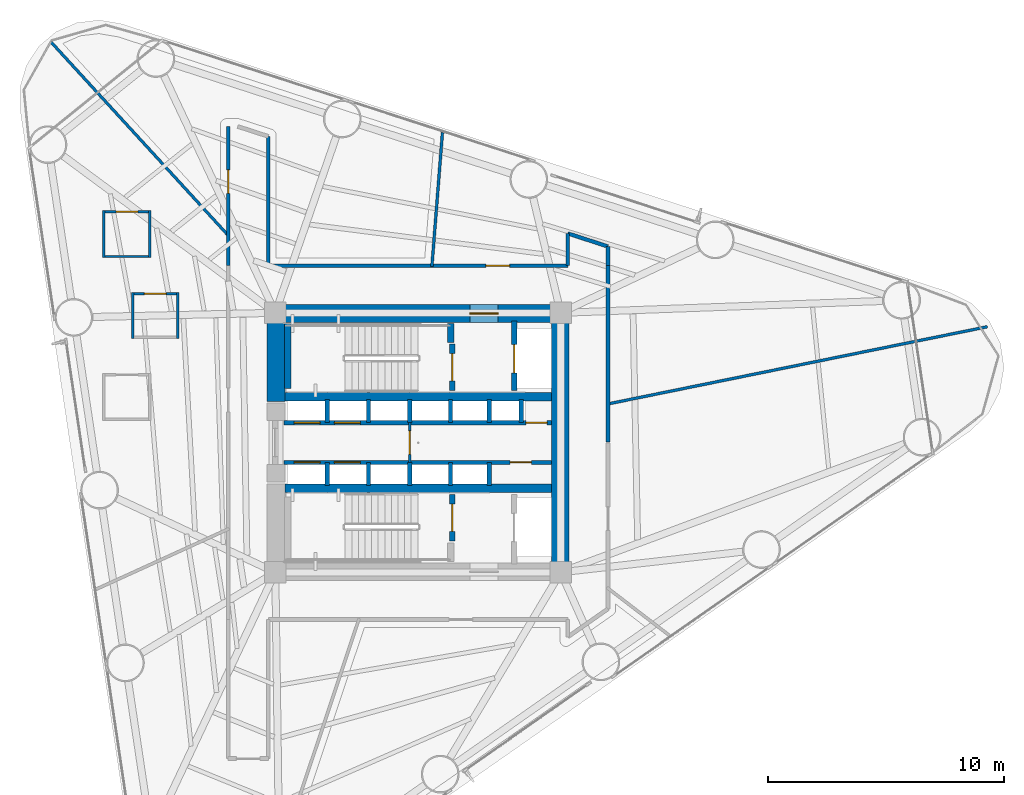
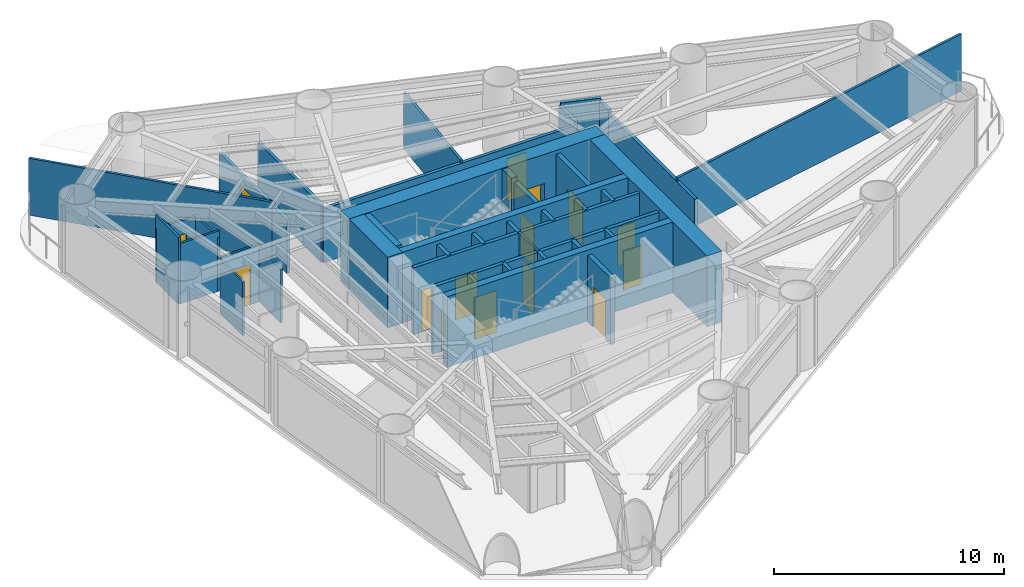
# One storey, part 6 of 11: 41 walls, 15 doors, 15 openings.
"""IFC4 building model written with IfcOpenShell, lengths in metres."""

from ifc_helpers import new_model, si_unit, direction, frame, frame_2d, origin, place, context, subcontext, project, spatial, rectangle, extrude, material, layer, layer_set, type_object, element, fill, save


model = new_model("IFC4")

# Units and contexts
model_context = context("Model", 3, precision=1e-05, world=origin(), true_north=direction((0.0, 1.0)))
body_context = subcontext(model_context, "Body", "Model", "MODEL_VIEW")
ifc_project = project(units=[si_unit("LENGTHUNIT", "METRE"), si_unit("AREAUNIT", "SQUARE_METRE"), si_unit("VOLUMEUNIT", "CUBIC_METRE"), si_unit("PLANEANGLEUNIT", "RADIAN"), si_unit("MASSUNIT", "GRAM", prefix="KILO")], contexts=[model_context])

# Site, building, storey
site_placement = place(None, origin())
site = spatial("IfcSite", under=ifc_project, at=site_placement, CompositionType="ELEMENT")
building_placement = place(site_placement, origin())
building = spatial("IfcBuilding", under=site, at=building_placement, Name="Yunling Apex Tower", CompositionType="ELEMENT")
storey_placement = place(building_placement, frame((0.0, 0.0, 54.800048828125)))
storey = spatial("IfcBuildingStorey", under=building, at=storey_placement, Name="L14", CompositionType="ELEMENT", Elevation=54.800048828125)

# Wall, opening, door
ifc_material_1 = material(Name="Concrete C60", Category="concrete")
ifc_layer_1 = layer(ifc_material_1, 0.75)
ifc_layer_set_1 = layer_set([ifc_layer_1], Name="Concrete C60")
wall_type_1 = type_object("IfcWallType", Name="WL-COR-1", PredefinedType="SHEAR", material=ifc_layer_set_1)
wall_1_placement = place(storey_placement, frame((-6.39990234375, 5.47509765625, 0.0), z_axis=(0.0, 0.0, 1.0), x_axis=(1.0, 0.0, 0.0)))
wall_1 = element("IfcWall", 1, at=wall_1_placement, inside=storey, type_object=wall_type_1, Name="L14 North Core Shear Wall", PredefinedType="SHEAR", context=body_context, shape_type="SweptSolid", body=[
    extrude(rectangle(XDim=12.7998046875, YDim=0.75, at=frame_2d((6.39990234375, 0.0))), origin(), (0.0, 0.0, 1.0), 3.75),
])
opening_1_placement = place(wall_1_placement, frame((8.60009765625, 0.0, 0.0)))
opening_1 = element("IfcOpeningElement", 2, at=opening_1_placement, cuts=wall_1, Name="Opening DR-FFL-1", PredefinedType="OPENING", context=body_context, shape_type="SweptSolid", body=[
    extrude(rectangle(XDim=1.199951171875, YDim=2.199951171875, at=frame_2d((0.60009765625, 1.10009765625))), frame((0.0, 0.385009765625, 0.0), z_axis=(0.0, -1.0, 0.0), x_axis=(1.0, 0.0, 0.0)), (0.0, 0.0, 1.0), 0.77001953125),
])
ifc_material_2 = material(Name="Steel Q355B", Category="steel")
door_type_1 = type_object("IfcDoorType", Name="DR-FFL-1", OperationType="NOTDEFINED", PredefinedType="DOOR", material=ifc_material_2)
door_1_placement = place(opening_1_placement, origin())
door_1 = element("IfcDoor", 3, at=door_1_placement, inside=storey, type_object=door_type_1, Name="L14 North Firefighting Lobby Door", OperationType="SINGLE_SWING_LEFT", OverallHeight=2.199951171875, OverallWidth=1.199951171875, PredefinedType="DOOR", context=body_context, shape_type="SweptSolid", body=[
    extrude(rectangle(XDim=1.199951171875, YDim=2.199951171875, at=frame_2d((0.60009765625, 1.10009765625))), frame((0.0, 0.02490234375, 0.0), z_axis=(0.0, -1.0, 0.0), x_axis=(1.0, 0.0, 0.0)), (0.0, 0.0, 1.0), 0.050048828125),
])
fill(opening_1, door_1)

# Walls
wall_2_placement = place(storey_placement, frame((6.02490234375, -5.10009765625, 0.0), z_axis=(0.0, 0.0, 1.0), x_axis=(0.0, 1.0, 0.0)))
element("IfcWall", 4, at=wall_2_placement, inside=storey, type_object=wall_type_1, Name="L14 East Core Shear Wall", PredefinedType="SHEAR", context=body_context, shape_type="SweptSolid", body=[
    extrude(rectangle(XDim=10.2001953125, YDim=0.75, at=frame_2d((5.10009765625, 0.0))), origin(), (0.0, 0.0, 1.0), 3.75),
])
wall_3_placement = place(storey_placement, frame((-6.02490234375, 1.75, 0.0), z_axis=(0.0, 0.0, 1.0), x_axis=(0.0, 1.0, 0.0)))
element("IfcWall", 5, at=wall_3_placement, inside=storey, type_object=wall_type_1, Name="L14 West-North Core Shear Wall", PredefinedType="SHEAR", context=body_context, shape_type="SweptSolid", body=[
    extrude(rectangle(XDim=3.35009765625, YDim=0.75, at=frame_2d((1.675048828125, 0.0))), origin(), (0.0, 0.0, 1.0), 3.75),
])
ifc_material_3 = material(Name="Concrete C40", Category="concrete")
ifc_layer_2 = layer(ifc_material_3, 0.360107421875)
ifc_layer_set_2 = layer_set([ifc_layer_2], Name="Concrete C40")
wall_type_2 = type_object("IfcWallType", Name="WL-COR-4", PredefinedType="SHEAR", material=ifc_layer_set_2)
for number, where, z_axis, x_axis, name in (
    (6, (-5.64990234375, 1.93994140625, 0.0), (0.0, 0.0, 1.0), (1.0, 0.0, 0.0), "L14 North Internal Core Shear Wall"),
    (7, (-5.64990234375, -1.93994140625, 0.0), (0.0, 0.0, 1.0), (1.0, 0.0, 0.0), "L14 South Internal Core Shear Wall"),
):
    element("IfcWall", number, at=place(storey_placement, frame(where, z_axis=z_axis, x_axis=x_axis)), inside=storey, type_object=wall_type_2, Name=name, PredefinedType="SHEAR", context=body_context, shape_type="SweptSolid", body=[
        extrude(rectangle(XDim=11.2998046875, YDim=0.360107421875, at=frame_2d((5.64990234375, 0.0))), origin(), (0.0, 0.0, 1.0), 3.75),
    ])
ifc_layer_3 = layer(ifc_material_3, 0.280029296875)
ifc_layer_set_3 = layer_set([ifc_layer_3], Name="Concrete C40")
wall_type_3 = type_object("IfcWallType", Name="WL-COR-8", PredefinedType="SHEAR", material=ifc_layer_set_3)
wall_4_placement = place(storey_placement, frame((-5.52001953125, 2.300048828125, 0.0), z_axis=(0.0, 0.0, 1.0), x_axis=(0.0, 1.0, 0.0)))
element("IfcWall", 8, at=wall_4_placement, inside=storey, type_object=wall_type_3, Name="L14 ST-1 West Landing Bearing Wall", PredefinedType="SHEAR", context=body_context, shape_type="SweptSolid", body=[
    extrude(rectangle(XDim=2.75, YDim=0.280029296875, at=frame_2d((1.375, 0.0))), origin(), (0.0, 0.0, 1.0), 3.75),
])
wall_5_placement = place(storey_placement, frame((1.3798828125, 4.25, 0.0), z_axis=(0.0, 0.0, 1.0), x_axis=(0.0, 1.0, 0.0)))
element("IfcWall", 9, at=wall_5_placement, inside=storey, type_object=wall_type_3, Name="L14 ST-1 East Landing Bearing Pier", PredefinedType="SHEAR", context=body_context, shape_type="SweptSolid", body=[
    extrude(rectangle(XDim=0.800048828125, YDim=0.280029296875, at=frame_2d((0.39990234375, 0.0))), origin(), (0.0, 0.0, 1.0), 3.75),
])

# Wall, opening, door
ifc_material_4 = material(Name="Gypsum board acoustic partition")
ifc_layer_4 = layer(ifc_material_4, 0.159912109375)
ifc_layer_set_4 = layer_set([ifc_layer_4], Name="Gypsum board acoustic partition")
wall_type_4 = type_object("IfcWallType", Name="WL-PRT-1", PredefinedType="PARTITIONING", material=ifc_layer_set_4)
wall_6_placement = place(storey_placement, frame((-8.050048828125, 7.5, 0.0), z_axis=(0.0, 0.0, 1.0), x_axis=(0.0, 1.0, 0.0)))
wall_6 = element("IfcWall", 10, at=wall_6_placement, inside=storey, type_object=wall_type_4, Name="WL-CORR-L14-04", PredefinedType="PARTITIONING", context=body_context, shape_type="SweptSolid", body=[
    extrude(rectangle(XDim=5.89990234375, YDim=0.159912109375, at=frame_2d((2.949951171875, 0.0))), origin(), (0.0, 0.0, 1.0), 2.849853515625),
])
opening_2_placement = place(wall_6_placement, frame((3.061279296875, 0.0, 0.0)))
opening_2 = element("IfcOpeningElement", 11, at=opening_2_placement, cuts=wall_6, Name="Opening DR-OFF-1", PredefinedType="OPENING", context=body_context, shape_type="SweptSolid", body=[
    extrude(rectangle(XDim=1.0, YDim=2.25, at=frame_2d((0.5, 1.125))), frame((0.0, 0.08984375, 0.0), z_axis=(0.0, -1.0, 0.0), x_axis=(1.0, 0.0, 0.0)), (0.0, 0.0, 1.0), 0.179931640625),
])
ifc_material_5 = material(Name="Bronze anodised aluminium", Category="aluminium")
door_type_2 = type_object("IfcDoorType", Name="DR-OFF-1", OperationType="NOTDEFINED", PredefinedType="DOOR", material=ifc_material_5)
door_2_placement = place(opening_2_placement, origin())
door_2 = element("IfcDoor", 12, at=door_2_placement, inside=storey, type_object=door_type_2, Name="L14 Staff Pantry Kitchen Door", OperationType="SINGLE_SWING_RIGHT", OverallHeight=2.25, OverallWidth=1.0, PredefinedType="DOOR", context=body_context, shape_type="SweptSolid", body=[
    extrude(rectangle(XDim=1.0, YDim=2.25, at=frame_2d((0.5, 1.125))), frame((0.0, 0.02490234375, 0.0), z_axis=(0.0, -1.0, 0.0), x_axis=(1.0, 0.0, 0.0)), (0.0, 0.0, 1.0), 0.050048828125),
])
fill(opening_2, door_2)

# Wall
wall_7_placement = place(storey_placement, frame((-6.35009765625, 12.9814453125, 0.0), z_axis=(0.0, 0.0, 1.0), x_axis=(0.0, -1.0, 0.0)))
element("IfcWall", 13, at=wall_7_placement, inside=storey, type_object=wall_type_4, Name="WL-CORR-L14-07", PredefinedType="PARTITIONING", context=body_context, shape_type="SweptSolid", body=[
    extrude(rectangle(XDim=5.4814453125, YDim=0.159912109375, at=frame_2d((2.74072265625, 0.0))), origin(), (0.0, 0.0, 1.0), 3.050048828125),
])

# Wall, opening, door
wall_8_placement = place(storey_placement, frame((-6.35009765625, 7.5, 0.0), z_axis=(0.0, 0.0, 1.0), x_axis=(1.0, 0.0, 0.0)))
wall_8 = element("IfcWall", 14, at=wall_8_placement, inside=storey, type_object=wall_type_4, Name="WL-CORR-L14-08", PredefinedType="PARTITIONING", context=body_context, shape_type="SweptSolid", body=[
    extrude(rectangle(XDim=12.7001953125, YDim=0.159912109375, at=frame_2d((6.35009765625, 0.0))), origin(), (0.0, 0.0, 1.0), 2.849853515625),
])
opening_3_placement = place(wall_8_placement, frame((9.229248046875, 0.0, 0.0)))
opening_3 = element("IfcOpeningElement", 15, at=opening_3_placement, cuts=wall_8, Name="Opening DR-OFF-1", PredefinedType="OPENING", context=body_context, shape_type="SweptSolid", body=[
    extrude(rectangle(XDim=1.0, YDim=2.25, at=frame_2d((0.5, 1.125))), frame((0.0, 0.08984375, 0.0), z_axis=(0.0, -1.0, 0.0), x_axis=(1.0, 0.0, 0.0)), (0.0, 0.0, 1.0), 0.179931640625),
])
door_3_placement = place(opening_3_placement, origin())
door_3 = element("IfcDoor", 16, at=door_3_placement, inside=storey, type_object=door_type_2, Name="L14 Staff Pantry Kitchen Door", OperationType="SINGLE_SWING_LEFT", OverallHeight=2.25, OverallWidth=1.0, PredefinedType="DOOR", context=body_context, shape_type="SweptSolid", body=[
    extrude(rectangle(XDim=1.0, YDim=2.25, at=frame_2d((0.5, 1.125))), frame((0.0, 0.02490234375, 0.0), z_axis=(0.0, -1.0, 0.0), x_axis=(1.0, 0.0, 0.0)), (0.0, 0.0, 1.0), 0.050048828125),
])
fill(opening_3, door_3)

# Walls
wall_9_placement = place(storey_placement, frame((6.35009765625, 7.5, 0.0), z_axis=(0.0, 0.0, 1.0), x_axis=(0.0, 1.0, 0.0)))
element("IfcWall", 17, at=wall_9_placement, inside=storey, type_object=wall_type_4, Name="WL-CORR-L14-09", PredefinedType="PARTITIONING", context=body_context, shape_type="SweptSolid", body=[
    extrude(rectangle(XDim=1.36474609375, YDim=0.159912109375, at=frame_2d((0.682373046875, 0.0))), origin(), (0.0, 0.0, 1.0), 3.050048828125),
])
wall_10_placement = place(storey_placement, frame((6.35009765625, 8.86474609375, 0.0), z_axis=(0.0, 0.0, 1.0), x_axis=(0.951273733128, -0.308347668486, 0.0)))
element("IfcWall", 18, at=wall_10_placement, inside=storey, type_object=wall_type_4, Name="WL-CORR-L14-10", PredefinedType="PARTITIONING", context=body_context, shape_type="SweptSolid", body=[
    extrude(rectangle(XDim=1.787109375, YDim=0.159912109375, at=frame_2d((0.8935546875, 0.0))), origin(), (0.0, 0.0, 1.0), 3.199951171875),
])
wall_11_placement = place(storey_placement, frame((8.050048828125, 8.313720703125, 0.0), z_axis=(0.0, 0.0, 1.0), x_axis=(0.0, -1.0, 0.0)))
element("IfcWall", 19, at=wall_11_placement, inside=storey, type_object=wall_type_4, Name="WL-CORR-L14-11", PredefinedType="PARTITIONING", context=body_context, shape_type="SweptSolid", body=[
    extrude(rectangle(XDim=0.813720703125, YDim=0.159912109375, at=frame_2d((0.40673828125, 0.0))), origin(), (0.0, 0.0, 1.0), 3.050048828125),
])
wall_12_placement = place(storey_placement, frame((8.050048828125, 7.5, 0.0), z_axis=(0.0, 0.0, 1.0), x_axis=(0.0, -1.0, 0.0)))
element("IfcWall", 20, at=wall_12_placement, inside=storey, type_object=wall_type_4, Name="WL-CORR-L14-12", PredefinedType="PARTITIONING", context=body_context, shape_type="SweptSolid", body=[
    extrude(rectangle(XDim=7.47998046875, YDim=0.159912109375, at=frame_2d((3.739990234375, 0.0))), origin(), (0.0, 0.0, 1.0), 2.849853515625),
])
ifc_layer_5 = layer(ifc_material_4, 0.1201171875)
ifc_layer_set_5 = layer_set([ifc_layer_5], Name="Gypsum board acoustic partition")
wall_type_5 = type_object("IfcWallType", Name="WL-PRT-3", PredefinedType="PARTITIONING", material=ifc_layer_set_5)
wall_13_placement = place(storey_placement, frame((0.587158203125, 7.4599609375, 0.0), z_axis=(0.0, 0.0, 1.0), x_axis=(0.078455369282, 0.996917627004, 0.0)))
element("IfcWall", 21, at=wall_13_placement, inside=storey, type_object=wall_type_5, Name="WL-RAD-L14-01", PredefinedType="PARTITIONING", context=body_context, shape_type="SweptSolid", body=[
    extrude(rectangle(XDim=5.710205078125, YDim=0.1201171875, at=frame_2d((2.85498046875, 0.0))), origin(), (0.0, 0.0, 1.0), 3.010009765625),
])
wall_14_placement = place(storey_placement, frame((-8.010009765625, 8.741455078125, 0.0), z_axis=(0.0, 0.0, 1.0), x_axis=(-0.675595196102, 0.737272765674, 0.0)))
element("IfcWall", 22, at=wall_14_placement, inside=storey, type_object=wall_type_5, Name="WL-RAD-L14-02", PredefinedType="PARTITIONING", context=body_context, shape_type="SweptSolid", body=[
    extrude(rectangle(XDim=11.190185546875, YDim=0.1201171875, at=frame_2d((5.59521484375, 0.0))), origin(), (0.0, 0.0, 1.0), 3.010009765625),
])
wall_15_placement = place(storey_placement, frame((8.010009765625, 1.629638671875, 0.0), z_axis=(0.0, 0.0, 1.0), x_axis=(0.979925464906, 0.199364197459, 0.0)))
element("IfcWall", 23, at=wall_15_placement, inside=storey, type_object=wall_type_5, Name="WL-RAD-L14-06", PredefinedType="PARTITIONING", context=body_context, shape_type="SweptSolid", body=[
    extrude(rectangle(XDim=16.45849609375, YDim=0.1201171875, at=frame_2d((8.229248046875, 0.0))), origin(), (0.0, 0.0, 1.0), 3.010009765625),
])

# Wall, opening, door
ifc_layer_6 = layer(ifc_material_4, 0.10009765625)
ifc_layer_set_6 = layer_set([ifc_layer_6], Name="Gypsum board acoustic partition")
wall_type_6 = type_object("IfcWallType", Name="WL-PRT-4", PredefinedType="PARTITIONING", material=ifc_layer_set_6)
wall_16_placement = place(storey_placement, frame((-0.35009765625, -0.840087890625, 0.0), z_axis=(0.0, 0.0, 1.0), x_axis=(0.0, 1.0, 0.0)))
wall_16 = element("IfcWall", 24, at=wall_16_placement, inside=storey, type_object=wall_type_6, Name="WL-LOB-MID-L14", PredefinedType="PARTITIONING", context=body_context, shape_type="SweptSolid", body=[
    extrude(rectangle(XDim=1.68017578125, YDim=0.10009765625, at=frame_2d((0.840087890625, 0.0))), origin(), (0.0, 0.0, 1.0), 3.544921875),
])
opening_4_placement = place(wall_16_placement, frame((0.340087890625, 0.0, 0.0)))
opening_4 = element("IfcOpeningElement", 25, at=opening_4_placement, cuts=wall_16, Name="Opening DR-OFF-1", PredefinedType="OPENING", context=body_context, shape_type="SweptSolid", body=[
    extrude(rectangle(XDim=1.0, YDim=2.25, at=frame_2d((0.5, 1.125))), frame((0.0, 0.06005859375, 0.0), z_axis=(0.0, -1.0, 0.0), x_axis=(1.0, 0.0, 0.0)), (0.0, 0.0, 1.0), 0.1201171875),
])
door_4_placement = place(opening_4_placement, origin())
door_4 = element("IfcDoor", 26, at=door_4_placement, inside=storey, type_object=door_type_2, Name="L14 Core Lobby Link Door", OperationType="SINGLE_SWING_RIGHT", OverallHeight=2.25, OverallWidth=1.0, PredefinedType="DOOR", context=body_context, shape_type="SweptSolid", body=[
    extrude(rectangle(XDim=1.0, YDim=2.25, at=frame_2d((0.5, 1.125))), frame((0.0, 0.02490234375, 0.0), z_axis=(0.0, -1.0, 0.0), x_axis=(1.0, 0.0, 0.0)), (0.0, 0.0, 1.0), 0.050048828125),
])
fill(opening_4, door_4)

wall_17_placement = place(storey_placement, frame((-13.366943359375, 9.787109375, 0.0), z_axis=(0.0, 0.0, 1.0), x_axis=(1.0, 0.0, 0.0)))
wall_17 = element("IfcWall", 27, at=wall_17_placement, inside=storey, type_object=wall_type_6, Name="WL-L14-WCFN", PredefinedType="PARTITIONING", context=body_context, shape_type="SweptSolid", body=[
    extrude(rectangle(XDim=2.050048828125, YDim=0.10009765625, at=frame_2d((1.02490234375, 0.0))), origin(), (0.0, 0.0, 1.0), 2.849853515625),
])
opening_5_placement = place(wall_17_placement, frame((0.56494140625, 0.0, 0.0)))
opening_5 = element("IfcOpeningElement", 28, at=opening_5_placement, cuts=wall_17, Name="Opening DR-WC-1", PredefinedType="OPENING", context=body_context, shape_type="SweptSolid", body=[
    extrude(rectangle(XDim=0.919921875, YDim=2.10009765625, at=frame_2d((0.4599609375, 1.050048828125))), frame((0.0, 0.06005859375, 0.0), z_axis=(0.0, -1.0, 0.0), x_axis=(1.0, 0.0, 0.0)), (0.0, 0.0, 1.0), 0.1201171875),
])
ifc_material_6 = material(Name="Timber moisture-resistant leaf", Category="wood")
door_type_3 = type_object("IfcDoorType", Name="DR-WC-1", OperationType="NOTDEFINED", PredefinedType="DOOR", material=ifc_material_6)
door_5_placement = place(opening_5_placement, origin())
door_5 = element("IfcDoor", 29, at=door_5_placement, inside=storey, type_object=door_type_3, Name="L14 Female Toilet Door", OperationType="SINGLE_SWING_RIGHT", OverallHeight=2.10009765625, OverallWidth=0.919921875, PredefinedType="DOOR", context=body_context, shape_type="SweptSolid", body=[
    extrude(rectangle(XDim=0.919921875, YDim=2.10009765625, at=frame_2d((0.4599609375, 1.050048828125))), frame((0.0, 0.02490234375, 0.0), z_axis=(0.0, -1.0, 0.0), x_axis=(1.0, 0.0, 0.0)), (0.0, 0.0, 1.0), 0.050048828125),
])
fill(opening_5, door_5)

# Walls
wall_18_placement = place(storey_placement, frame((-11.31689453125, 7.886962890625, 0.0), z_axis=(0.0, 0.0, 1.0), x_axis=(-1.0, 0.0, 0.0)))
element("IfcWall", 30, at=wall_18_placement, inside=storey, type_object=wall_type_6, Name="WL-L14-WCFS", PredefinedType="PARTITIONING", context=body_context, shape_type="SweptSolid", body=[
    extrude(rectangle(XDim=2.050048828125, YDim=0.10009765625, at=frame_2d((1.02490234375, 0.0))), origin(), (0.0, 0.0, 1.0), 3.199951171875),
])
wall_19_placement = place(storey_placement, frame((-11.366943359375, 9.8369140625, 0.0), z_axis=(0.0, 0.0, 1.0), x_axis=(0.0, -1.0, 0.0)))
element("IfcWall", 31, at=wall_19_placement, inside=storey, type_object=wall_type_6, Name="WL-L14-WCFE", PredefinedType="PARTITIONING", context=body_context, shape_type="SweptSolid", body=[
    extrude(rectangle(XDim=2.0, YDim=0.10009765625, at=frame_2d((1.0, 0.0))), origin(), (0.0, 0.0, 1.0), 2.849853515625),
])
wall_20_placement = place(storey_placement, frame((-13.31689453125, 7.8369140625, 0.0), z_axis=(0.0, 0.0, 1.0), x_axis=(0.0, 1.0, 0.0)))
element("IfcWall", 32, at=wall_20_placement, inside=storey, type_object=wall_type_6, Name="WL-L14-WCFW", PredefinedType="PARTITIONING", context=body_context, shape_type="SweptSolid", body=[
    extrude(rectangle(XDim=2.0, YDim=0.10009765625, at=frame_2d((1.0, 0.0))), origin(), (0.0, 0.0, 1.0), 3.544921875),
])

# Wall, opening, door
wall_21_placement = place(storey_placement, frame((-12.14208984375, 6.30908203125, 0.0), z_axis=(0.0, 0.0, 1.0), x_axis=(1.0, 0.0, 0.0)))
wall_21 = element("IfcWall", 33, at=wall_21_placement, inside=storey, type_object=wall_type_6, Name="WL-L14-WCAN", PredefinedType="PARTITIONING", context=body_context, shape_type="SweptSolid", body=[
    extrude(rectangle(XDim=2.0, YDim=0.10009765625, at=frame_2d((1.0, 0.0))), origin(), (0.0, 0.0, 1.0), 3.050048828125),
])
opening_6_placement = place(wall_21_placement, frame((0.5400390625, 0.0, 0.0)))
opening_6 = element("IfcOpeningElement", 34, at=opening_6_placement, cuts=wall_21, Name="Opening DR-WC-1", PredefinedType="OPENING", context=body_context, shape_type="SweptSolid", body=[
    extrude(rectangle(XDim=0.919921875, YDim=2.10009765625, at=frame_2d((0.4599609375, 1.050048828125))), frame((0.0, 0.06005859375, 0.0), z_axis=(0.0, -1.0, 0.0), x_axis=(1.0, 0.0, 0.0)), (0.0, 0.0, 1.0), 0.1201171875),
])
door_6_placement = place(opening_6_placement, origin())
door_6 = element("IfcDoor", 35, at=door_6_placement, inside=storey, type_object=door_type_3, Name="L14 Accessible WC Door", OperationType="SINGLE_SWING_LEFT", OverallHeight=2.10009765625, OverallWidth=0.919921875, PredefinedType="DOOR", context=body_context, shape_type="SweptSolid", body=[
    extrude(rectangle(XDim=0.919921875, YDim=2.10009765625, at=frame_2d((0.4599609375, 1.050048828125))), frame((0.0, 0.02490234375, 0.0), z_axis=(0.0, -1.0, 0.0), x_axis=(1.0, 0.0, 0.0)), (0.0, 0.0, 1.0), 0.050048828125),
])
fill(opening_6, door_6)

# Walls
for number, where, z_axis, x_axis, name in (
    (36, (-10.19189453125, 6.35888671875, 0.0), (0.0, 0.0, 1.0), (0.0, -1.0, 0.0), "WL-L14-WCAE"),
    (37, (-12.092041015625, 4.408935546875, 0.0), (0.0, 0.0, 1.0), (0.0, 1.0, 0.0), "WL-L14-WCAW"),
):
    element("IfcWall", number, at=place(storey_placement, frame(where, z_axis=z_axis, x_axis=x_axis)), inside=storey, type_object=wall_type_6, Name=name, PredefinedType="PARTITIONING", context=body_context, shape_type="SweptSolid", body=[
        extrude(rectangle(XDim=1.949951171875, YDim=0.10009765625, at=frame_2d((0.97509765625, 0.0))), origin(), (0.0, 0.0, 1.0), 2.849853515625),
    ])

# Wall, opening, door
ifc_material_7 = material(Name="Autoclaved aerated concrete masonry", Category="masonry")
ifc_layer_7 = layer(ifc_material_7, 0.219970703125)
ifc_layer_set_7 = layer_set([ifc_layer_7], Name="Autoclaved aerated concrete masonry")
wall_type_7 = type_object("IfcWallType", Name="WL-SHF-1", PredefinedType="PLUMBINGWALL", material=ifc_layer_set_7)
wall_22_placement = place(storey_placement, frame((1.449951171875, 2.199951171875, 0.0), z_axis=(0.0, 0.0, 1.0), x_axis=(0.0, 1.0, 0.0)))
wall_22 = element("IfcWall", 38, at=wall_22_placement, inside=storey, type_object=wall_type_7, Name="WL-ST1-E-L14", PredefinedType="PLUMBINGWALL", context=body_context, shape_type="SweptSolid", body=[
    extrude(rectangle(XDim=1.97998046875, YDim=0.219970703125, at=frame_2d((0.989990234375, 0.0))), origin(), (0.0, 0.0, 1.0), 3.544921875),
])
opening_7_placement = place(wall_22_placement, frame((0.419921875, 0.0, 0.0)))
opening_7 = element("IfcOpeningElement", 39, at=opening_7_placement, cuts=wall_22, Name="Opening DR-ST-1", PredefinedType="OPENING", context=body_context, shape_type="SweptSolid", body=[
    extrude(rectangle(XDim=1.14990234375, YDim=2.14990234375, at=frame_2d((0.574951171875, 1.074951171875))), frame((0.0, 0.1201171875, 0.0), z_axis=(0.0, -1.0, 0.0), x_axis=(1.0, 0.0, 0.0)), (0.0, 0.0, 1.0), 0.239990234375),
])
door_type_4 = type_object("IfcDoorType", Name="DR-ST-1", OperationType="NOTDEFINED", PredefinedType="DOOR", material=ifc_material_2)
door_7_placement = place(opening_7_placement, origin())
door_7 = element("IfcDoor", 40, at=door_7_placement, inside=storey, type_object=door_type_4, Name="L14 Stair ST-1 Fire Door", OperationType="SINGLE_SWING_RIGHT", OverallHeight=2.14990234375, OverallWidth=1.14990234375, PredefinedType="DOOR", context=body_context, shape_type="SweptSolid", body=[
    extrude(rectangle(XDim=1.14990234375, YDim=2.14990234375, at=frame_2d((0.574951171875, 1.074951171875))), frame((0.0, 0.02490234375, 0.0), z_axis=(0.0, -1.0, 0.0), x_axis=(1.0, 0.0, 0.0)), (0.0, 0.0, 1.0), 0.050048828125),
])
fill(opening_7, door_7)

wall_23_placement = place(storey_placement, frame((4.080078125, 2.199951171875, 0.0), z_axis=(0.0, 0.0, 1.0), x_axis=(0.0, 1.0, 0.0)))
wall_23 = element("IfcWall", 41, at=wall_23_placement, inside=storey, type_object=wall_type_7, Name="WL-FFL1-W-L14", PredefinedType="PLUMBINGWALL", context=body_context, shape_type="SweptSolid", body=[
    extrude(rectangle(XDim=2.949951171875, YDim=0.219970703125, at=frame_2d((1.47509765625, 0.0))), origin(), (0.0, 0.0, 1.0), 3.544921875),
])
opening_8_placement = place(wall_23_placement, frame((0.75, 0.0, 0.0)))
opening_8 = element("IfcOpeningElement", 42, at=opening_8_placement, cuts=wall_23, Name="Opening LD-FFL-1", PredefinedType="OPENING", context=body_context, shape_type="SweptSolid", body=[
    extrude(rectangle(XDim=1.199951171875, YDim=2.25, at=frame_2d((0.60009765625, 1.125))), frame((0.0, 0.1201171875, 0.0), z_axis=(0.0, -1.0, 0.0), x_axis=(1.0, 0.0, 0.0)), (0.0, 0.0, 1.0), 0.239990234375),
])
door_type_5 = type_object("IfcDoorType", Name="LD-FFL-1", OperationType="DOUBLE_DOOR_SLIDING", PredefinedType="DOOR", material=ifc_material_2)
door_8_placement = place(opening_8_placement, origin())
door_8 = element("IfcDoor", 43, at=door_8_placement, inside=storey, type_object=door_type_5, Name="L14 Lift FFL-1 Landing Door", OperationType="DOUBLE_DOOR_SLIDING", OverallHeight=2.25, OverallWidth=1.199951171875, PredefinedType="DOOR", context=body_context, shape_type="SweptSolid", body=[
    extrude(rectangle(XDim=1.199951171875, YDim=2.25, at=frame_2d((0.60009765625, 1.125))), frame((0.0, 0.02490234375, 0.0), z_axis=(0.0, -1.0, 0.0), x_axis=(1.0, 0.0, 0.0)), (0.0, 0.0, 1.0), 0.050048828125),
])
fill(opening_8, door_8)

wall_24_placement = place(storey_placement, frame((1.449951171875, -4.179931640625, 0.0), z_axis=(0.0, 0.0, 1.0), x_axis=(0.0, 1.0, 0.0)))
wall_24 = element("IfcWall", 44, at=wall_24_placement, inside=storey, type_object=wall_type_7, Name="WL-ST2-E-L14", PredefinedType="PLUMBINGWALL", context=body_context, shape_type="SweptSolid", body=[
    extrude(rectangle(XDim=1.97998046875, YDim=0.219970703125, at=frame_2d((0.989990234375, 0.0))), origin(), (0.0, 0.0, 1.0), 3.544921875),
])
opening_9_placement = place(wall_24_placement, frame((0.419921875, 0.0, 0.0)))
opening_9 = element("IfcOpeningElement", 45, at=opening_9_placement, cuts=wall_24, Name="Opening DR-ST-1", PredefinedType="OPENING", context=body_context, shape_type="SweptSolid", body=[
    extrude(rectangle(XDim=1.14990234375, YDim=2.14990234375, at=frame_2d((0.574951171875, 1.074951171875))), frame((0.0, 0.1201171875, 0.0), z_axis=(0.0, -1.0, 0.0), x_axis=(1.0, 0.0, 0.0)), (0.0, 0.0, 1.0), 0.239990234375),
])
door_9_placement = place(opening_9_placement, origin())
door_9 = element("IfcDoor", 46, at=door_9_placement, inside=storey, type_object=door_type_4, Name="L14 Stair ST-2 Fire Door", OperationType="SINGLE_SWING_LEFT", OverallHeight=2.14990234375, OverallWidth=1.14990234375, PredefinedType="DOOR", context=body_context, shape_type="SweptSolid", body=[
    extrude(rectangle(XDim=1.14990234375, YDim=2.14990234375, at=frame_2d((0.574951171875, 1.074951171875))), frame((0.0, 0.02490234375, 0.0), z_axis=(0.0, -1.0, 0.0), x_axis=(1.0, 0.0, 0.0)), (0.0, 0.0, 1.0), 0.050048828125),
])
fill(opening_9, door_9)

# Walls
ifc_layer_8 = layer(ifc_material_7, 0.179931640625)
ifc_layer_set_8 = layer_set([ifc_layer_8], Name="Autoclaved aerated concrete masonry")
wall_type_8 = type_object("IfcWallType", Name="WL-SHF-2", PredefinedType="PLUMBINGWALL", material=ifc_layer_set_8)
for number, where, z_axis, x_axis, name in (
    (47, (-3.85009765625, 0.840087890625, 0.0), (0.0, 0.0, 1.0), (0.0, 1.0, 0.0), "WL-DIV-L12-L14"),
    (48, (-3.85009765625, -1.820068359375, 0.0), (0.0, 0.0, 1.0), (0.0, 1.0, 0.0), "WL-DIV-L34-L14"),
    (49, (-2.10009765625, 0.840087890625, 0.0), (0.0, 0.0, 1.0), (0.0, 1.0, 0.0), "WL-BNK-LM-N-L14"),
    (50, (-2.10009765625, -1.820068359375, 0.0), (0.0, 0.0, 1.0), (0.0, 1.0, 0.0), "WL-BNK-LM-S-L14"),
    (51, (-0.35009765625, 0.840087890625, 0.0), (0.0, 0.0, 1.0), (0.0, 1.0, 0.0), "WL-DIV-M12-L14"),
    (52, (-0.35009765625, -1.820068359375, 0.0), (0.0, 0.0, 1.0), (0.0, 1.0, 0.0), "WL-DIV-M34-L14"),
    (53, (1.3798828125, 0.840087890625, 0.0), (0.0, 0.0, 1.0), (0.0, 1.0, 0.0), "WL-BNK-MH-N-L14"),
    (54, (1.3798828125, -1.820068359375, 0.0), (0.0, 0.0, 1.0), (0.0, 1.0, 0.0), "WL-BNK-MH-S-L14"),
    (55, (3.02001953125, 0.840087890625, 0.0), (0.0, 0.0, 1.0), (0.0, 1.0, 0.0), "WL-DIV-H13-L14"),
    (56, (4.3798828125, 0.840087890625, 0.0), (0.0, 0.0, 1.0), (0.0, 1.0, 0.0), "WL-END-H3E-L14"),
    (57, (3.02001953125, -1.820068359375, 0.0), (0.0, 0.0, 1.0), (0.0, 1.0, 0.0), "WL-END-H2E-L14"),
):
    element("IfcWall", number, at=place(storey_placement, frame(where, z_axis=z_axis, x_axis=x_axis)), inside=storey, type_object=wall_type_8, Name=name, PredefinedType="PLUMBINGWALL", context=body_context, shape_type="SweptSolid", body=[
        extrude(rectangle(XDim=0.97998046875, YDim=0.179931640625, at=frame_2d((0.489990234375, 0.0))), origin(), (0.0, 0.0, 1.0), 3.544921875),
    ])

# Wall, openings, doors
wall_25_placement = place(storey_placement, frame((-5.679931640625, 0.840087890625, 0.0), z_axis=(0.0, 0.0, 1.0), x_axis=(1.0, 0.0, 0.0)))
wall_25 = element("IfcWall", 58, at=wall_25_placement, inside=storey, type_object=wall_type_8, Name="WL-LOB-N-L14", PredefinedType="PLUMBINGWALL", context=body_context, shape_type="SweptSolid", body=[
    extrude(rectangle(XDim=11.329833984375, YDim=0.179931640625, at=frame_2d((5.6650390625, 0.0))), origin(), (0.0, 0.0, 1.0), 3.544921875),
])
opening_10_placement = place(wall_25_placement, frame((0.429931640625, 0.0, 0.0)))
opening_10 = element("IfcOpeningElement", 59, at=opening_10_placement, cuts=wall_25, Name="Opening LD-PAS-1", PredefinedType="OPENING", context=body_context, shape_type="SweptSolid", body=[
    extrude(rectangle(XDim=1.10009765625, YDim=2.199951171875, at=frame_2d((0.550048828125, 1.10009765625))), frame((0.0, 0.10009765625, 0.0), z_axis=(0.0, -1.0, 0.0), x_axis=(1.0, 0.0, 0.0)), (0.0, 0.0, 1.0), 0.199951171875),
])
opening_11_placement = place(wall_25_placement, frame((2.1298828125, 0.0, 0.0)))
opening_11 = element("IfcOpeningElement", 60, at=opening_11_placement, cuts=wall_25, Name="Opening LD-PAS-1", PredefinedType="OPENING", context=body_context, shape_type="SweptSolid", body=[
    extrude(rectangle(XDim=1.10009765625, YDim=2.199951171875, at=frame_2d((0.550048828125, 1.10009765625))), frame((0.0, 0.10009765625, 0.0), z_axis=(0.0, -1.0, 0.0), x_axis=(1.0, 0.0, 0.0)), (0.0, 0.0, 1.0), 0.199951171875),
])
opening_12_placement = place(wall_25_placement, frame((10.25, 0.0, 0.0)))
opening_12 = element("IfcOpeningElement", 61, at=opening_12_placement, cuts=wall_25, Name="Opening DR-SHF-1", PredefinedType="OPENING", context=body_context, shape_type="SweptSolid", body=[
    extrude(rectangle(XDim=0.89990234375, YDim=2.050048828125, at=frame_2d((0.449951171875, 1.02490234375))), frame((0.0, 0.10009765625, 0.0), z_axis=(0.0, -1.0, 0.0), x_axis=(1.0, 0.0, 0.0)), (0.0, 0.0, 1.0), 0.199951171875),
])
door_type_6 = type_object("IfcDoorType", Name="DR-SHF-1", OperationType="NOTDEFINED", PredefinedType="DOOR", material=ifc_material_2)
door_10_placement = place(opening_12_placement, origin())
door_10 = element("IfcDoor", 62, at=door_10_placement, inside=storey, type_object=door_type_6, Name="L14 Core Janitor Closet Door", OperationType="SINGLE_SWING_LEFT", OverallHeight=2.050048828125, OverallWidth=0.89990234375, PredefinedType="DOOR", context=body_context, shape_type="SweptSolid", body=[
    extrude(rectangle(XDim=0.89990234375, YDim=2.050048828125, at=frame_2d((0.449951171875, 1.02490234375))), frame((0.0, 0.02490234375, 0.0), z_axis=(0.0, -1.0, 0.0), x_axis=(1.0, 0.0, 0.0)), (0.0, 0.0, 1.0), 0.050048828125),
])
fill(opening_12, door_10)
ifc_material_8 = material(Name="Silver anodised aluminium", Category="aluminium")
door_type_7 = type_object("IfcDoorType", Name="LD-PAS-1", OperationType="DOUBLE_DOOR_SLIDING", PredefinedType="DOOR", material=ifc_material_8)
door_11_placement = place(opening_10_placement, origin())
door_11 = element("IfcDoor", 63, at=door_11_placement, inside=storey, type_object=door_type_7, Name="L14 Lift PL-L1 Landing Door", OperationType="DOUBLE_DOOR_SLIDING", OverallHeight=2.199951171875, OverallWidth=1.10009765625, PredefinedType="DOOR", context=body_context, shape_type="SweptSolid", body=[
    extrude(rectangle(XDim=1.10009765625, YDim=2.199951171875, at=frame_2d((0.550048828125, 1.10009765625))), frame((0.0, 0.02490234375, 0.0), z_axis=(0.0, -1.0, 0.0), x_axis=(1.0, 0.0, 0.0)), (0.0, 0.0, 1.0), 0.050048828125),
])
fill(opening_10, door_11)
door_12_placement = place(opening_11_placement, origin())
door_12 = element("IfcDoor", 64, at=door_12_placement, inside=storey, type_object=door_type_7, Name="L14 Lift PL-L2 Landing Door", OperationType="DOUBLE_DOOR_SLIDING", OverallHeight=2.199951171875, OverallWidth=1.10009765625, PredefinedType="DOOR", context=body_context, shape_type="SweptSolid", body=[
    extrude(rectangle(XDim=1.10009765625, YDim=2.199951171875, at=frame_2d((0.550048828125, 1.10009765625))), frame((0.0, 0.02490234375, 0.0), z_axis=(0.0, -1.0, 0.0), x_axis=(1.0, 0.0, 0.0)), (0.0, 0.0, 1.0), 0.050048828125),
])
fill(opening_11, door_12)

wall_26_placement = place(storey_placement, frame((-5.679931640625, -0.840087890625, 0.0), z_axis=(0.0, 0.0, 1.0), x_axis=(1.0, 0.0, 0.0)))
wall_26 = element("IfcWall", 65, at=wall_26_placement, inside=storey, type_object=wall_type_8, Name="WL-LOB-S-L14", PredefinedType="PLUMBINGWALL", context=body_context, shape_type="SweptSolid", body=[
    extrude(rectangle(XDim=11.329833984375, YDim=0.179931640625, at=frame_2d((5.6650390625, 0.0))), origin(), (0.0, 0.0, 1.0), 3.544921875),
])
opening_13_placement = place(wall_26_placement, frame((0.429931640625, 0.0, 0.0)))
opening_13 = element("IfcOpeningElement", 66, at=opening_13_placement, cuts=wall_26, Name="Opening LD-PAS-1", PredefinedType="OPENING", context=body_context, shape_type="SweptSolid", body=[
    extrude(rectangle(XDim=1.10009765625, YDim=2.199951171875, at=frame_2d((0.550048828125, 1.10009765625))), frame((0.0, 0.10009765625, 0.0), z_axis=(0.0, -1.0, 0.0), x_axis=(1.0, 0.0, 0.0)), (0.0, 0.0, 1.0), 0.199951171875),
])
opening_14_placement = place(wall_26_placement, frame((2.1298828125, 0.0, 0.0)))
opening_14 = element("IfcOpeningElement", 67, at=opening_14_placement, cuts=wall_26, Name="Opening LD-PAS-1", PredefinedType="OPENING", context=body_context, shape_type="SweptSolid", body=[
    extrude(rectangle(XDim=1.10009765625, YDim=2.199951171875, at=frame_2d((0.550048828125, 1.10009765625))), frame((0.0, 0.10009765625, 0.0), z_axis=(0.0, -1.0, 0.0), x_axis=(1.0, 0.0, 0.0)), (0.0, 0.0, 1.0), 0.199951171875),
])
opening_15_placement = place(wall_26_placement, frame((9.580078125, 0.0, 0.0)))
opening_15 = element("IfcOpeningElement", 68, at=opening_15_placement, cuts=wall_26, Name="Opening DR-SHF-1", PredefinedType="OPENING", context=body_context, shape_type="SweptSolid", body=[
    extrude(rectangle(XDim=0.89990234375, YDim=2.050048828125, at=frame_2d((0.449951171875, 1.02490234375))), frame((0.0, 0.10009765625, 0.0), z_axis=(0.0, -1.0, 0.0), x_axis=(1.0, 0.0, 0.0)), (0.0, 0.0, 1.0), 0.199951171875),
])
door_13_placement = place(opening_15_placement, origin())
door_13 = element("IfcDoor", 69, at=door_13_placement, inside=storey, type_object=door_type_6, Name="L14 Core MEP Service Door", OperationType="SINGLE_SWING_RIGHT", OverallHeight=2.050048828125, OverallWidth=0.89990234375, PredefinedType="DOOR", context=body_context, shape_type="SweptSolid", body=[
    extrude(rectangle(XDim=0.89990234375, YDim=2.050048828125, at=frame_2d((0.449951171875, 1.02490234375))), frame((0.0, 0.02490234375, 0.0), z_axis=(0.0, -1.0, 0.0), x_axis=(1.0, 0.0, 0.0)), (0.0, 0.0, 1.0), 0.050048828125),
])
fill(opening_15, door_13)
door_14_placement = place(opening_13_placement, origin())
door_14 = element("IfcDoor", 70, at=door_14_placement, inside=storey, type_object=door_type_7, Name="L14 Lift PL-L3 Landing Door", OperationType="DOUBLE_DOOR_SLIDING", OverallHeight=2.199951171875, OverallWidth=1.10009765625, PredefinedType="DOOR", context=body_context, shape_type="SweptSolid", body=[
    extrude(rectangle(XDim=1.10009765625, YDim=2.199951171875, at=frame_2d((0.550048828125, 1.10009765625))), frame((0.0, 0.02490234375, 0.0), z_axis=(0.0, -1.0, 0.0), x_axis=(1.0, 0.0, 0.0)), (0.0, 0.0, 1.0), 0.050048828125),
])
fill(opening_13, door_14)
door_15_placement = place(opening_14_placement, origin())
door_15 = element("IfcDoor", 71, at=door_15_placement, inside=storey, type_object=door_type_7, Name="L14 Lift PL-L4 Landing Door", OperationType="DOUBLE_DOOR_SLIDING", OverallHeight=2.199951171875, OverallWidth=1.10009765625, PredefinedType="DOOR", context=body_context, shape_type="SweptSolid", body=[
    extrude(rectangle(XDim=1.10009765625, YDim=2.199951171875, at=frame_2d((0.550048828125, 1.10009765625))), frame((0.0, 0.02490234375, 0.0), z_axis=(0.0, -1.0, 0.0), x_axis=(1.0, 0.0, 0.0)), (0.0, 0.0, 1.0), 0.050048828125),
])
fill(opening_14, door_15)

save(model, "model.ifc")
